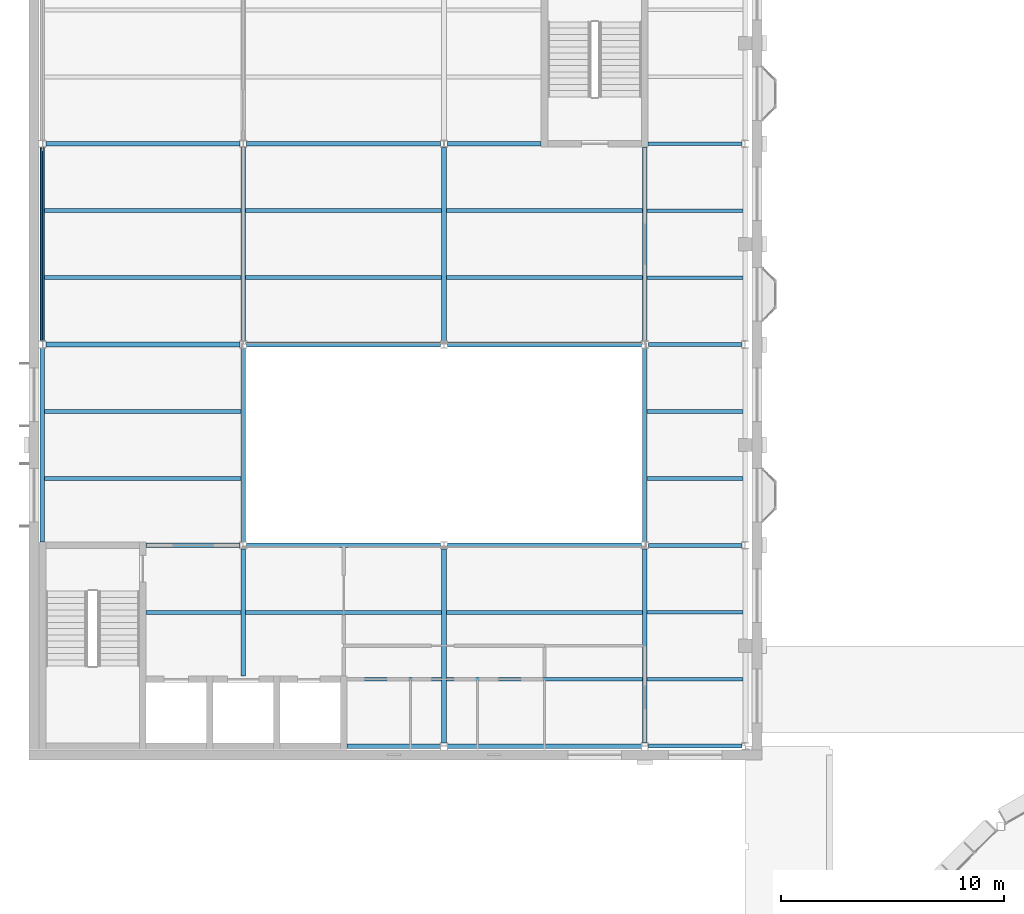
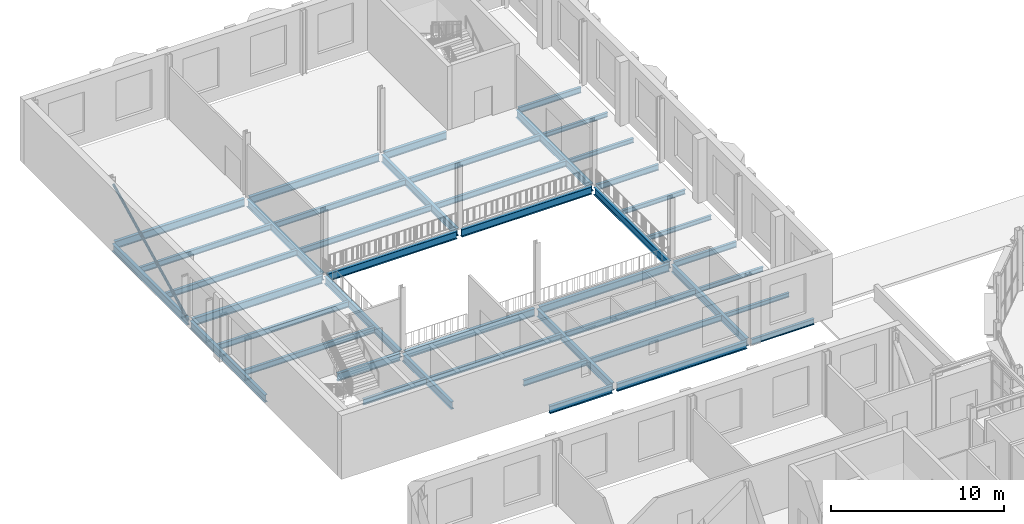
# One storey, part 16 of 74: 44 beams, 1 member.
"""IFC4 building model written with IfcOpenShell, lengths in metres."""

import ifcopenshell
import ifcopenshell.guid

model = None  # the IFC model being written
_history = None  # IfcOwnerHistory: only IFC2X3 demands one
_inside = {}  # id of a spatial element -> (the spatial element, [elements in it])
_under = {}  # id of a project, library or spatial element -> (it, [spatial elements below it])
_declared = {}  # id of a project -> (the project, [libraries it declares])
_typed = {}  # id of a type object -> (the type object, [elements of that type])
_made_of = {}  # id of a material, layer set ... -> (it, [elements and type objects made of it])


def new_model(schema):
    """Start an empty IFC model of exactly this schema.

    Asked for "IFC4X3", IfcOpenShell would pick the latest addendum, in which some entities
    have other attributes; the version numbers below select the first issue.
    IFC2X3 requires an IfcOwnerHistory on every rooted entity: one is made here for all.
    """
    global model, _history
    if schema == "IFC4X3":
        model = ifcopenshell.file(schema_version=(4, 3, 0, 0))
    else:
        model = ifcopenshell.file(schema=schema)
    _inside.clear()
    _under.clear()
    _declared.clear()
    _typed.clear()
    _made_of.clear()
    _history = None
    if model.schema == "IFC2X3":
        org = make("IfcOrganization", Name="unknown")
        user = make(
            "IfcPersonAndOrganization",
            ThePerson=make("IfcPerson", FamilyName="unknown"),
            TheOrganization=org,
        )
        app = make(
            "IfcApplication",
            ApplicationDeveloper=org,
            Version="unknown",
            ApplicationFullName="unknown",
            ApplicationIdentifier="unknown",
        )
        _history = make(
            "IfcOwnerHistory",
            OwningUser=user,
            OwningApplication=app,
            ChangeAction="ADDED",
            CreationDate=0,
        )
    return model


def make(cls, **values):
    """One entity of the class cls with the attributes given. An attribute that is None is left unset."""
    return model.create_entity(
        cls, **{name: value for name, value in values.items() if value is not None}
    )


def rooted(cls, **values):
    """An entity with a GlobalId (a new one), such as an element, a storey or a relation."""
    return make(cls, GlobalId=ifcopenshell.guid.new(), OwnerHistory=_history, **values)


def si_unit(unit_type, name, prefix=None):
    """IfcSIUnit, for example si_unit("LENGTHUNIT", "METRE", prefix="MILLI")."""
    return make("IfcSIUnit", UnitType=unit_type, Prefix=prefix, Name=name)


def assignment(units):
    """IfcUnitAssignment: the units of a project."""
    return None if units is None else make("IfcUnitAssignment", Units=units)


def point(xyz):
    """IfcCartesianPoint."""
    return None if xyz is None else make("IfcCartesianPoint", Coordinates=xyz)


def direction(xyz):
    """IfcDirection."""
    return None if xyz is None else make("IfcDirection", DirectionRatios=xyz)


def frame(location, z_axis=None, x_axis=None):
    """IfcAxis2Placement3D, a coordinate frame: its origin and axes. An axis left out is left unset."""
    return make(
        "IfcAxis2Placement3D",
        Location=point(location),
        Axis=direction(z_axis),
        RefDirection=direction(x_axis),
    )


def frame_2d(location, x_axis=None):
    """IfcAxis2Placement2D, a coordinate frame in the plane: its origin and x axis."""
    return make(
        "IfcAxis2Placement2D", Location=point(location), RefDirection=direction(x_axis)
    )


def origin():
    """The frame at (0, 0, 0) with its axes left unset."""
    return frame((0.0, 0.0, 0.0))


def origin_2d():
    """The frame at (0, 0) in the plane with its x axis left unset."""
    return frame_2d((0.0, 0.0))


def place(relative_to, where):
    """IfcLocalPlacement: puts the frame where relative to a parent placement (None: the world)."""
    return make(
        "IfcLocalPlacement", PlacementRelTo=relative_to, RelativePlacement=where
    )


def context(
    kind, dimensions, precision=None, world=None, true_north=None, identifier=None
):
    """IfcGeometricRepresentationContext, for example the 3D "Model" context."""
    return make(
        "IfcGeometricRepresentationContext",
        ContextIdentifier=identifier,
        ContextType=kind,
        CoordinateSpaceDimension=dimensions,
        Precision=precision,
        WorldCoordinateSystem=world,
        TrueNorth=true_north,
    )


def subcontext(parent, identifier, kind, view, scale=None):
    """IfcGeometricRepresentationSubContext, for example "Body" below "Model"."""
    return make(
        "IfcGeometricRepresentationSubContext",
        ContextIdentifier=identifier,
        ContextType=kind,
        ParentContext=parent,
        TargetScale=scale,
        TargetView=view,
    )


def project(units=None, contexts=None):
    """IfcProject with its units and contexts."""
    return rooted(
        "IfcProject",
        Name="project",
        RepresentationContexts=contexts,
        UnitsInContext=assignment(units),
    )


def spatial(cls, under=None, at=None, **own):
    """A site, building, storey or space (cls), placed at a placement, below another one or the project."""
    s = rooted(cls, ObjectPlacement=at, **own)
    if under is not None:
        _under.setdefault(under.id(), (under, []))[1].append(s)
    return s


def profile(cls, at=None, kind="AREA", **sizes):
    """A parametric profile (cls). Its sizes go by their IFC names, for example OverallWidth=200.0."""
    return make(cls, ProfileType=kind, Position=at, **sizes)


def hollow_circle(**sizes):
    """IfcCircleHollowProfileDef."""
    return profile("IfcCircleHollowProfileDef", **sizes)


def i_section(**sizes):
    """IfcIShapeProfileDef."""
    return profile("IfcIShapeProfileDef", **sizes)


def extrude(swept, where, along, depth):
    """IfcExtrudedAreaSolid: the profile swept, set in the frame where, extruded along a direction by depth."""
    return make(
        "IfcExtrudedAreaSolid",
        SweptArea=swept,
        Position=where,
        ExtrudedDirection=direction(along),
        Depth=depth,
    )


def shape(context_of_items, identifier, shape_type, items):
    """IfcShapeRepresentation: the items that make up one representation, for example the "Body"."""
    return make(
        "IfcShapeRepresentation",
        ContextOfItems=context_of_items,
        RepresentationIdentifier=identifier,
        RepresentationType=shape_type,
        Items=items,
    )


def material(Name=None, Category=None):
    """IfcMaterial."""
    return make("IfcMaterial", Name=Name, Category=Category)


def material_profile(
    of_material, cross_section, Name=None, Category=None, Priority=None
):
    """IfcMaterialProfile: a cross section and its material."""
    return make(
        "IfcMaterialProfile",
        Name=Name,
        Material=of_material,
        Profile=cross_section,
        Priority=Priority,
        Category=Category,
    )


def profile_set(profiles, Name=None, composite=None):
    """IfcMaterialProfileSet."""
    return make(
        "IfcMaterialProfileSet",
        Name=Name,
        MaterialProfiles=profiles,
        CompositeProfile=composite,
    )


def made_of(thing, what):
    """Note that an element or type object is made of a material, layer set ...; save() writes the relation."""
    if what is not None:
        _made_of.setdefault(what.id(), (what, []))[1].append(thing)
    return thing


def type_object(cls, material=None, **own):
    """A type object (cls), such as IfcWallType, which elements share."""
    return made_of(rooted(cls, **own), material)


def element(
    cls,
    number,
    at=None,
    inside=None,
    cuts=None,
    type_object=None,
    material=None,
    context=None,
    identifier="Body",
    shape_type=None,
    held_by="IfcProductDefinitionShape",
    body=None,
    shapes=None,
    **own,
):
    """One element of the class cls, such as IfcWall. Its Tag is "e" and its number.

    at: its placement. inside: the storey or other place that contains it. cuts: it is an
    opening in that element (IfcRelVoidsElement). A single representation is given by context,
    identifier, shape_type and body (its items); several are given by shapes. held_by: the class
    of the entity that holds the representations. save() writes the other relations.
    """
    e = rooted(cls, Tag="e%d" % number, ObjectPlacement=at, **own)
    if body is not None:
        shapes = [shape(context, identifier, shape_type, body)]
    if shapes is not None:
        e.Representation = make(held_by, Representations=shapes)
    if inside is not None:
        _inside.setdefault(inside.id(), (inside, []))[1].append(e)
    if cuts is not None:
        rooted(
            "IfcRelVoidsElement", RelatingBuildingElement=cuts, RelatedOpeningElement=e
        )
    if type_object is not None:
        _typed.setdefault(type_object.id(), (type_object, []))[1].append(e)
    return made_of(e, material)


def aggregate(whole, parts):
    """IfcRelAggregates: a whole, such as a stair, and the parts it consists of."""
    return rooted("IfcRelAggregates", RelatingObject=whole, RelatedObjects=parts)


def save(model, path):
    """Write the relations noted so far, then the file.

    IfcRelAggregates (storeys below a building ...), IfcRelContainedInSpatialStructure (elements
    in a storey), IfcRelDefinesByType, IfcRelAssociatesMaterial and IfcRelDeclares: one each for
    every whole, place, type object, material and project.
    """
    for whole, parts in _under.values():
        aggregate(whole, parts)
    for where, things in _inside.values():
        rooted(
            "IfcRelContainedInSpatialStructure",
            RelatedElements=things,
            RelatingStructure=where,
        )
    for kind, things in _typed.values():
        rooted("IfcRelDefinesByType", RelatedObjects=things, RelatingType=kind)
    for what, things in _made_of.values():
        rooted("IfcRelAssociatesMaterial", RelatedObjects=things, RelatingMaterial=what)
    for by, libraries in _declared.values():
        rooted("IfcRelDeclares", RelatingContext=by, RelatedDefinitions=libraries)
    model.write(path)


model = new_model("IFC4")

# Units and contexts
model_context = context("Model", 3, precision=1e-05, world=origin(), true_north=direction((0.0, 1.0)))
body_context = subcontext(model_context, "Body", "Model", "MODEL_VIEW")
ifc_project = project(units=[si_unit("LENGTHUNIT", "METRE"), si_unit("AREAUNIT", "SQUARE_METRE"), si_unit("VOLUMEUNIT", "CUBIC_METRE"), si_unit("PLANEANGLEUNIT", "RADIAN"), si_unit("MASSUNIT", "GRAM", prefix="KILO")], contexts=[model_context])

# Site, building, storey
site_placement = place(None, origin())
site = spatial("IfcSite", under=ifc_project, at=site_placement, CompositionType="ELEMENT")
building_placement = place(site_placement, origin())
building = spatial("IfcBuilding", under=site, at=building_placement, Name="Hortulan Conservatory and Botanical Research Centre", CompositionType="ELEMENT")
storey_placement = place(building_placement, frame((0.0, 0.0, 6.0)))
storey = spatial("IfcBuildingStorey", under=building, at=storey_placement, Name="L01", CompositionType="ELEMENT", Elevation=6.0)

# Member
ifc_material_1 = material(Name="Steel Grade C350L0 (350 MPa, AS/NZS 1163)", Category="steel")
ifc_material_profile_1 = material_profile(ifc_material_1, hollow_circle(Radius=0.084228515625, WallThickness=0.00634765625, at=origin_2d()), Name="168.3x6.4CHS")
ifc_profile_set_1 = profile_set([ifc_material_profile_1], Name="Steel Grade C350L0 (350 MPa, AS/NZS 1163)")
member_type = type_object("IfcMemberType", Name="Brace 168.3x6.4CHS", PredefinedType="BRACE", material=ifc_profile_set_1)
member_placement = place(storey_placement, frame((0.0, 54.160400390625, -0.313720703125), z_axis=(0.0, 0.894427191, 0.4472135955), x_axis=(-1.0, 0.0, 0.0)))
element("IfcMember", 1, at=member_placement, inside=storey, type_object=member_type, Name="168.3x6.4CHS brace", PredefinedType="BRACE", context=body_context, shape_type="SweptSolid", body=[
    extrude(hollow_circle(Radius=0.084228515625, WallThickness=0.00634765625, at=origin_2d()), origin(), (0.0, 0.0, 1.0), 9.70361328125),
])

# Beams
ifc_material_2 = material(Name="Steel Grade 300PLUS (AS/NZS 3679.1, 280 MPa minimum yield)", Category="steel")
ifc_material_profile_2 = material_profile(ifc_material_2, i_section(OverallWidth=0.177978515625, OverallDepth=0.403076171875, WebThickness=0.007568359375, FlangeThickness=0.010986328125, FilletRadius=0.011474609375, at=origin_2d()), Name="410UB53.7")
ifc_profile_set_2 = profile_set([ifc_material_profile_2], Name="Steel Grade 300PLUS (AS/NZS 3679.1, 280 MPa minimum yield)")
beam_type_1 = type_object("IfcBeamType", Name="Primary Beam 410UB53.7", PredefinedType="BEAM", material=ifc_profile_set_2)
beam_1_placement = place(storey_placement, frame((27.160400390625, 36.0, -0.33154296875), z_axis=(1.0, 0.0, 0.0), x_axis=(0.0, 1.0, 0.0)))
element("IfcBeam", 2, at=beam_1_placement, inside=storey, type_object=beam_type_1, Name="410UB53.7 girder", PredefinedType="BEAM", context=body_context, shape_type="SweptSolid", body=[
    extrude(i_section(OverallWidth=0.177978515625, OverallDepth=0.403076171875, WebThickness=0.007568359375, FlangeThickness=0.010986328125, FilletRadius=0.011474609375, at=origin_2d()), origin(), (0.0, 0.0, 1.0), 4.18505859375),
])
for number, where, z_axis, x_axis, name in (
    (3, (27.154541015625, 45.0, -0.33154296875), (1.0, 0.0, 0.0), (0.0, 1.0, 0.0), "410UB53.7 girder"),
    (4, (27.154541015625, 54.0, -0.33154296875), (1.0, 0.0, 0.0), (0.0, 1.0, 0.0), "410UB53.7 girder"),
):
    element("IfcBeam", number, at=place(storey_placement, frame(where, z_axis=z_axis, x_axis=x_axis)), inside=storey, type_object=beam_type_1, Name=name, PredefinedType="BEAM", context=body_context, shape_type="SweptSolid", body=[
        extrude(i_section(OverallWidth=0.177978515625, OverallDepth=0.403076171875, WebThickness=0.007568359375, FlangeThickness=0.010986328125, FilletRadius=0.011474609375, at=origin_2d()), origin(), (0.0, 0.0, 1.0), 4.19091796875),
    ])
beam_2_placement = place(storey_placement, frame((27.14990234375, 63.0, -0.33154296875), z_axis=(1.0, 0.0, 0.0), x_axis=(0.0, 1.0, 0.0)))
element("IfcBeam", 5, at=beam_2_placement, inside=storey, type_object=beam_type_1, Name="410UB53.7 girder", PredefinedType="BEAM", context=body_context, shape_type="SweptSolid", body=[
    extrude(i_section(OverallWidth=0.177978515625, OverallDepth=0.403076171875, WebThickness=0.007568359375, FlangeThickness=0.010986328125, FilletRadius=0.011474609375, at=origin_2d()), origin(), (0.0, 0.0, 1.0), 4.195556640625),
])
ifc_material_profile_3 = material_profile(ifc_material_2, i_section(OverallWidth=0.208984375, OverallDepth=0.528076171875, WebThickness=0.009521484375, FlangeThickness=0.01318359375, FilletRadius=0.013916015625, at=origin_2d()), Name="530UB82.0")
ifc_profile_set_3 = profile_set([ifc_material_profile_3], Name="Steel Grade 300PLUS (AS/NZS 3679.1, 280 MPa minimum yield)")
beam_type_2 = type_object("IfcBeamType", Name="Primary Beam 530UB82.0", PredefinedType="BEAM", material=ifc_profile_set_3)
beam_3_placement = place(storey_placement, frame((0.0, 45.14990234375, -0.39404296875), z_axis=(0.0, 1.0, 0.0), x_axis=(-1.0, 0.0, 0.0)))
element("IfcBeam", 6, at=beam_3_placement, inside=storey, type_object=beam_type_2, Name="530UB82.0 girder", PredefinedType="BEAM", context=body_context, shape_type="SweptSolid", body=[
    extrude(i_section(OverallWidth=0.208984375, OverallDepth=0.528076171875, WebThickness=0.009521484375, FlangeThickness=0.01318359375, FilletRadius=0.013916015625, at=origin_2d()), origin(), (0.0, 0.0, 1.0), 8.689697265625),
])
for number, where, z_axis, x_axis, name in (
    (7, (0.0, 54.160400390625, -0.39404296875), (0.0, 1.0, 0.0), (-1.0, 0.0, 0.0), "530UB82.0 girder"),
    (8, (9.0, 45.160400390625, -0.39404296875), (0.0, 1.0, 0.0), (-1.0, 0.0, 0.0), "530UB82.0 girder"),
):
    element("IfcBeam", number, at=place(storey_placement, frame(where, z_axis=z_axis, x_axis=x_axis)), inside=storey, type_object=beam_type_2, Name=name, PredefinedType="BEAM", context=body_context, shape_type="SweptSolid", body=[
        extrude(i_section(OverallWidth=0.208984375, OverallDepth=0.528076171875, WebThickness=0.009521484375, FlangeThickness=0.01318359375, FilletRadius=0.013916015625, at=origin_2d()), origin(), (0.0, 0.0, 1.0), 8.67919921875),
    ])
for number, where, z_axis, x_axis, name in (
    (9, (9.154541015625, 45.0, -0.39404296875), (1.0, 0.0, 0.0), (0.0, 1.0, 0.0), "530UB82.0 girder"),
    (10, (9.154541015625, 54.0, -0.39404296875), (1.0, 0.0, 0.0), (0.0, 1.0, 0.0), "530UB82.0 girder"),
):
    element("IfcBeam", number, at=place(storey_placement, frame(where, z_axis=z_axis, x_axis=x_axis)), inside=storey, type_object=beam_type_2, Name=name, PredefinedType="BEAM", context=body_context, shape_type="SweptSolid", body=[
        extrude(i_section(OverallWidth=0.208984375, OverallDepth=0.528076171875, WebThickness=0.009521484375, FlangeThickness=0.01318359375, FilletRadius=0.013916015625, at=origin_2d()), origin(), (0.0, 0.0, 1.0), 8.69091796875),
    ])
beam_4_placement = place(storey_placement, frame((13.64990234375, 36.0, -0.39404296875), z_axis=(1.0, 0.0, 0.0), x_axis=(0.0, 1.0, 0.0)))
element("IfcBeam", 11, at=beam_4_placement, inside=storey, type_object=beam_type_2, Name="530UB82.0 girder", PredefinedType="BEAM", context=body_context, shape_type="SweptSolid", body=[
    extrude(i_section(OverallWidth=0.208984375, OverallDepth=0.528076171875, WebThickness=0.009521484375, FlangeThickness=0.01318359375, FilletRadius=0.013916015625, at=origin_2d()), origin(), (0.0, 0.0, 1.0), 4.189697265625),
])
beam_5_placement = place(storey_placement, frame((18.160400390625, 36.0, -0.39404296875), z_axis=(1.0, 0.0, 0.0), x_axis=(0.0, 1.0, 0.0)))
element("IfcBeam", 12, at=beam_5_placement, inside=storey, type_object=beam_type_2, Name="530UB82.0 girder", PredefinedType="BEAM", context=body_context, shape_type="SweptSolid", body=[
    extrude(i_section(OverallWidth=0.208984375, OverallDepth=0.528076171875, WebThickness=0.009521484375, FlangeThickness=0.01318359375, FilletRadius=0.013916015625, at=origin_2d()), origin(), (0.0, 0.0, 1.0), 8.67919921875),
])
for number, where, z_axis, x_axis, name in (
    (13, (18.154541015625, 45.0, -0.39404296875), (1.0, 0.0, 0.0), (0.0, 1.0, 0.0), "530UB82.0 girder"),
    (14, (18.154541015625, 54.0, -0.39404296875), (1.0, 0.0, 0.0), (0.0, 1.0, 0.0), "530UB82.0 girder"),
):
    element("IfcBeam", number, at=place(storey_placement, frame(where, z_axis=z_axis, x_axis=x_axis)), inside=storey, type_object=beam_type_2, Name=name, PredefinedType="BEAM", context=body_context, shape_type="SweptSolid", body=[
        extrude(i_section(OverallWidth=0.208984375, OverallDepth=0.528076171875, WebThickness=0.009521484375, FlangeThickness=0.01318359375, FilletRadius=0.013916015625, at=origin_2d()), origin(), (0.0, 0.0, 1.0), 8.69091796875),
    ])
beam_6_placement = place(storey_placement, frame((27.0, 45.160400390625, -0.39404296875), z_axis=(0.0, 1.0, 0.0), x_axis=(-1.0, 0.0, 0.0)))
element("IfcBeam", 15, at=beam_6_placement, inside=storey, type_object=beam_type_2, Name="530UB82.0 girder", PredefinedType="BEAM", context=body_context, shape_type="SweptSolid", body=[
    extrude(i_section(OverallWidth=0.208984375, OverallDepth=0.528076171875, WebThickness=0.009521484375, FlangeThickness=0.01318359375, FilletRadius=0.013916015625, at=origin_2d()), origin(), (0.0, 0.0, 1.0), 8.67919921875),
])
ifc_material_profile_4 = material_profile(ifc_material_2, i_section(OverallWidth=0.208984375, OverallDepth=0.532958984375, WebThickness=0.01025390625, FlangeThickness=0.015625, FilletRadius=0.013916015625, at=origin_2d()), Name="530UB92.4")
ifc_profile_set_4 = profile_set([ifc_material_profile_4], Name="Steel Grade 300PLUS (AS/NZS 3679.1, 280 MPa minimum yield)")
beam_type_3 = type_object("IfcBeamType", Name="Primary Beam 530UB92.4", PredefinedType="BEAM", material=ifc_profile_set_4)
for number, where, z_axis, x_axis, name in (
    (16, (0.154541015625, 54.0, -0.396484375), (1.0, 0.0, 0.0), (0.0, 1.0, 0.0), "530UB92.4 girder"),
    (17, (0.154541015625, 63.0, -0.396484375), (1.0, 0.0, 0.0), (0.0, 1.0, 0.0), "530UB92.4 girder"),
):
    element("IfcBeam", number, at=place(storey_placement, frame(where, z_axis=z_axis, x_axis=x_axis)), inside=storey, type_object=beam_type_3, Name=name, PredefinedType="BEAM", context=body_context, shape_type="SweptSolid", body=[
        extrude(i_section(OverallWidth=0.208984375, OverallDepth=0.532958984375, WebThickness=0.01025390625, FlangeThickness=0.015625, FilletRadius=0.013916015625, at=origin_2d()), origin(), (0.0, 0.0, 1.0), 8.69091796875),
    ])
beam_7_placement = place(storey_placement, frame((4.64990234375, 45.0, -0.396484375), z_axis=(1.0, 0.0, 0.0), x_axis=(0.0, 1.0, 0.0)))
element("IfcBeam", 18, at=beam_7_placement, inside=storey, type_object=beam_type_3, Name="530UB92.4 girder", PredefinedType="BEAM", context=body_context, shape_type="SweptSolid", body=[
    extrude(i_section(OverallWidth=0.208984375, OverallDepth=0.532958984375, WebThickness=0.01025390625, FlangeThickness=0.015625, FilletRadius=0.013916015625, at=origin_2d()), origin(), (0.0, 0.0, 1.0), 4.195556640625),
])
beam_8_placement = place(storey_placement, frame((9.0, 39.14990234375, -0.396484375), z_axis=(0.0, 1.0, 0.0), x_axis=(-1.0, 0.0, 0.0)))
element("IfcBeam", 19, at=beam_8_placement, inside=storey, type_object=beam_type_3, Name="530UB92.4 girder", PredefinedType="BEAM", context=body_context, shape_type="SweptSolid", body=[
    extrude(i_section(OverallWidth=0.208984375, OverallDepth=0.532958984375, WebThickness=0.01025390625, FlangeThickness=0.015625, FilletRadius=0.013916015625, at=origin_2d()), origin(), (0.0, 0.0, 1.0), 5.689697265625),
])
beam_9_placement = place(storey_placement, frame((9.0, 54.160400390625, -0.396484375), z_axis=(0.0, 1.0, 0.0), x_axis=(-1.0, 0.0, 0.0)))
element("IfcBeam", 20, at=beam_9_placement, inside=storey, type_object=beam_type_3, Name="530UB92.4 girder", PredefinedType="BEAM", context=body_context, shape_type="SweptSolid", body=[
    extrude(i_section(OverallWidth=0.208984375, OverallDepth=0.532958984375, WebThickness=0.01025390625, FlangeThickness=0.015625, FilletRadius=0.013916015625, at=origin_2d()), origin(), (0.0, 0.0, 1.0), 8.67919921875),
])
beam_10_placement = place(storey_placement, frame((9.154541015625, 63.0, -0.396484375), z_axis=(1.0, 0.0, 0.0), x_axis=(0.0, 1.0, 0.0)))
element("IfcBeam", 21, at=beam_10_placement, inside=storey, type_object=beam_type_3, Name="530UB92.4 girder", PredefinedType="BEAM", context=body_context, shape_type="SweptSolid", body=[
    extrude(i_section(OverallWidth=0.208984375, OverallDepth=0.532958984375, WebThickness=0.01025390625, FlangeThickness=0.015625, FilletRadius=0.013916015625, at=origin_2d()), origin(), (0.0, 0.0, 1.0), 8.69091796875),
])
beam_11_placement = place(storey_placement, frame((18.0, 36.154541015625, -0.396484375), z_axis=(0.0, 1.0, 0.0), x_axis=(-1.0, 0.0, 0.0)))
element("IfcBeam", 22, at=beam_11_placement, inside=storey, type_object=beam_type_3, Name="530UB92.4 girder", PredefinedType="BEAM", context=body_context, shape_type="SweptSolid", body=[
    extrude(i_section(OverallWidth=0.208984375, OverallDepth=0.532958984375, WebThickness=0.01025390625, FlangeThickness=0.015625, FilletRadius=0.013916015625, at=origin_2d()), origin(), (0.0, 0.0, 1.0), 8.68505859375),
])
beam_12_placement = place(storey_placement, frame((18.0, 54.160400390625, -0.396484375), z_axis=(0.0, 1.0, 0.0), x_axis=(-1.0, 0.0, 0.0)))
element("IfcBeam", 23, at=beam_12_placement, inside=storey, type_object=beam_type_3, Name="530UB92.4 girder", PredefinedType="BEAM", context=body_context, shape_type="SweptSolid", body=[
    extrude(i_section(OverallWidth=0.208984375, OverallDepth=0.532958984375, WebThickness=0.01025390625, FlangeThickness=0.015625, FilletRadius=0.013916015625, at=origin_2d()), origin(), (0.0, 0.0, 1.0), 8.67919921875),
])
beam_13_placement = place(storey_placement, frame((18.154541015625, 63.0, -0.396484375), z_axis=(1.0, 0.0, 0.0), x_axis=(0.0, 1.0, 0.0)))
element("IfcBeam", 24, at=beam_13_placement, inside=storey, type_object=beam_type_3, Name="530UB92.4 girder", PredefinedType="BEAM", context=body_context, shape_type="SweptSolid", body=[
    extrude(i_section(OverallWidth=0.208984375, OverallDepth=0.532958984375, WebThickness=0.01025390625, FlangeThickness=0.015625, FilletRadius=0.013916015625, at=origin_2d()), origin(), (0.0, 0.0, 1.0), 4.195556640625),
])
beam_14_placement = place(storey_placement, frame((27.0, 36.154541015625, -0.396484375), z_axis=(0.0, 1.0, 0.0), x_axis=(-1.0, 0.0, 0.0)))
element("IfcBeam", 25, at=beam_14_placement, inside=storey, type_object=beam_type_3, Name="530UB92.4 girder", PredefinedType="BEAM", context=body_context, shape_type="SweptSolid", body=[
    extrude(i_section(OverallWidth=0.208984375, OverallDepth=0.532958984375, WebThickness=0.01025390625, FlangeThickness=0.015625, FilletRadius=0.013916015625, at=origin_2d()), origin(), (0.0, 0.0, 1.0), 8.68505859375),
])
beam_15_placement = place(storey_placement, frame((27.0, 54.160400390625, -0.396484375), z_axis=(0.0, 1.0, 0.0), x_axis=(-1.0, 0.0, 0.0)))
element("IfcBeam", 26, at=beam_15_placement, inside=storey, type_object=beam_type_3, Name="530UB92.4 girder", PredefinedType="BEAM", context=body_context, shape_type="SweptSolid", body=[
    extrude(i_section(OverallWidth=0.208984375, OverallDepth=0.532958984375, WebThickness=0.01025390625, FlangeThickness=0.015625, FilletRadius=0.013916015625, at=origin_2d()), origin(), (0.0, 0.0, 1.0), 8.689697265625),
])
ifc_material_profile_5 = material_profile(ifc_material_2, i_section(OverallWidth=0.1650390625, OverallDepth=0.303955078125, WebThickness=0.006103515625, FlangeThickness=0.01025390625, FilletRadius=0.011474609375, at=origin_2d()), Name="310UB40.4")
ifc_profile_set_5 = profile_set([ifc_material_profile_5], Name="Steel Grade 300PLUS (AS/NZS 3679.1, 280 MPa minimum yield)")
beam_type_4 = type_object("IfcBeamType", Name="Secondary Beam 310UB40.4", PredefinedType="JOIST", material=ifc_profile_set_5)
for number, where, z_axis, x_axis, name in (
    (27, (27.1044921875, 39.0, -0.281982421875), (1.0, 0.0, 0.0), (0.0, 1.0, 0.0), "310UB40.4 secondary beam"),
    (28, (27.1044921875, 42.0, -0.281982421875), (1.0, 0.0, 0.0), (0.0, 1.0, 0.0), "310UB40.4 secondary beam"),
    (29, (27.1044921875, 48.0, -0.281982421875), (1.0, 0.0, 0.0), (0.0, 1.0, 0.0), "310UB40.4 secondary beam"),
    (30, (27.1044921875, 51.0, -0.281982421875), (1.0, 0.0, 0.0), (0.0, 1.0, 0.0), "310UB40.4 secondary beam"),
    (31, (27.1044921875, 57.0, -0.281982421875), (1.0, 0.0, 0.0), (0.0, 1.0, 0.0), "310UB40.4 secondary beam"),
    (32, (27.1044921875, 60.0, -0.281982421875), (1.0, 0.0, 0.0), (0.0, 1.0, 0.0), "310UB40.4 secondary beam"),
):
    element("IfcBeam", number, at=place(storey_placement, frame(where, z_axis=z_axis, x_axis=x_axis)), inside=storey, type_object=beam_type_4, Name=name, PredefinedType="JOIST", context=body_context, shape_type="SweptSolid", body=[
        extrude(i_section(OverallWidth=0.1650390625, OverallDepth=0.303955078125, WebThickness=0.006103515625, FlangeThickness=0.01025390625, FilletRadius=0.011474609375, at=origin_2d()), origin(), (0.0, 0.0, 1.0), 4.291015625),
    ])
ifc_material_profile_6 = material_profile(ifc_material_2, i_section(OverallWidth=0.177978515625, OverallDepth=0.406005859375, WebThickness=0.0078125, FlangeThickness=0.0126953125, FilletRadius=0.011474609375, at=origin_2d()), Name="410UB59.7")
ifc_profile_set_6 = profile_set([ifc_material_profile_6], Name="Steel Grade 300PLUS (AS/NZS 3679.1, 280 MPa minimum yield)")
beam_type_5 = type_object("IfcBeamType", Name="Secondary Beam 410UB59.7", PredefinedType="JOIST", material=ifc_profile_set_6)
beam_16_placement = place(storey_placement, frame((4.64990234375, 42.0, -0.3330078125), z_axis=(1.0, 0.0, 0.0), x_axis=(0.0, 1.0, 0.0)))
element("IfcBeam", 33, at=beam_16_placement, inside=storey, type_object=beam_type_5, Name="410UB59.7 secondary beam", PredefinedType="JOIST", context=body_context, shape_type="SweptSolid", body=[
    extrude(i_section(OverallWidth=0.177978515625, OverallDepth=0.406005859375, WebThickness=0.0078125, FlangeThickness=0.0126953125, FilletRadius=0.011474609375, at=origin_2d()), origin(), (0.0, 0.0, 1.0), 4.24560546875),
])
for number, where, z_axis, x_axis, name in (
    (34, (0.1044921875, 48.0, -0.3330078125), (1.0, 0.0, 0.0), (0.0, 1.0, 0.0), "410UB59.7 secondary beam"),
    (35, (0.1044921875, 51.0, -0.3330078125), (1.0, 0.0, 0.0), (0.0, 1.0, 0.0), "410UB59.7 secondary beam"),
    (36, (0.1044921875, 57.0, -0.3330078125), (1.0, 0.0, 0.0), (0.0, 1.0, 0.0), "410UB59.7 secondary beam"),
    (37, (0.1044921875, 60.0, -0.3330078125), (1.0, 0.0, 0.0), (0.0, 1.0, 0.0), "410UB59.7 secondary beam"),
):
    element("IfcBeam", number, at=place(storey_placement, frame(where, z_axis=z_axis, x_axis=x_axis)), inside=storey, type_object=beam_type_5, Name=name, PredefinedType="JOIST", context=body_context, shape_type="SweptSolid", body=[
        extrude(i_section(OverallWidth=0.177978515625, OverallDepth=0.406005859375, WebThickness=0.0078125, FlangeThickness=0.0126953125, FilletRadius=0.011474609375, at=origin_2d()), origin(), (0.0, 0.0, 1.0), 8.791015625),
    ])
beam_17_placement = place(storey_placement, frame((13.64990234375, 39.0, -0.3330078125), z_axis=(1.0, 0.0, 0.0), x_axis=(0.0, 1.0, 0.0)))
element("IfcBeam", 38, at=beam_17_placement, inside=storey, type_object=beam_type_5, Name="410UB59.7 secondary beam", PredefinedType="JOIST", context=body_context, shape_type="SweptSolid", body=[
    extrude(i_section(OverallWidth=0.177978515625, OverallDepth=0.406005859375, WebThickness=0.0078125, FlangeThickness=0.0126953125, FilletRadius=0.011474609375, at=origin_2d()), origin(), (0.0, 0.0, 1.0), 4.24560546875),
])
for number, where, z_axis, x_axis, name in (
    (39, (9.1044921875, 42.0, -0.3330078125), (1.0, 0.0, 0.0), (0.0, 1.0, 0.0), "410UB59.7 secondary beam"),
    (40, (9.1044921875, 57.0, -0.3330078125), (1.0, 0.0, 0.0), (0.0, 1.0, 0.0), "410UB59.7 secondary beam"),
    (41, (9.1044921875, 60.0, -0.3330078125), (1.0, 0.0, 0.0), (0.0, 1.0, 0.0), "410UB59.7 secondary beam"),
    (42, (18.1044921875, 39.0, -0.3330078125), (1.0, 0.0, 0.0), (0.0, 1.0, 0.0), "410UB59.7 secondary beam"),
    (43, (18.1044921875, 42.0, -0.3330078125), (1.0, 0.0, 0.0), (0.0, 1.0, 0.0), "410UB59.7 secondary beam"),
    (44, (18.1044921875, 57.0, -0.3330078125), (1.0, 0.0, 0.0), (0.0, 1.0, 0.0), "410UB59.7 secondary beam"),
    (45, (18.1044921875, 60.0, -0.3330078125), (1.0, 0.0, 0.0), (0.0, 1.0, 0.0), "410UB59.7 secondary beam"),
):
    element("IfcBeam", number, at=place(storey_placement, frame(where, z_axis=z_axis, x_axis=x_axis)), inside=storey, type_object=beam_type_5, Name=name, PredefinedType="JOIST", context=body_context, shape_type="SweptSolid", body=[
        extrude(i_section(OverallWidth=0.177978515625, OverallDepth=0.406005859375, WebThickness=0.0078125, FlangeThickness=0.0126953125, FilletRadius=0.011474609375, at=origin_2d()), origin(), (0.0, 0.0, 1.0), 8.791015625),
    ])

save(model, "model.ifc")
